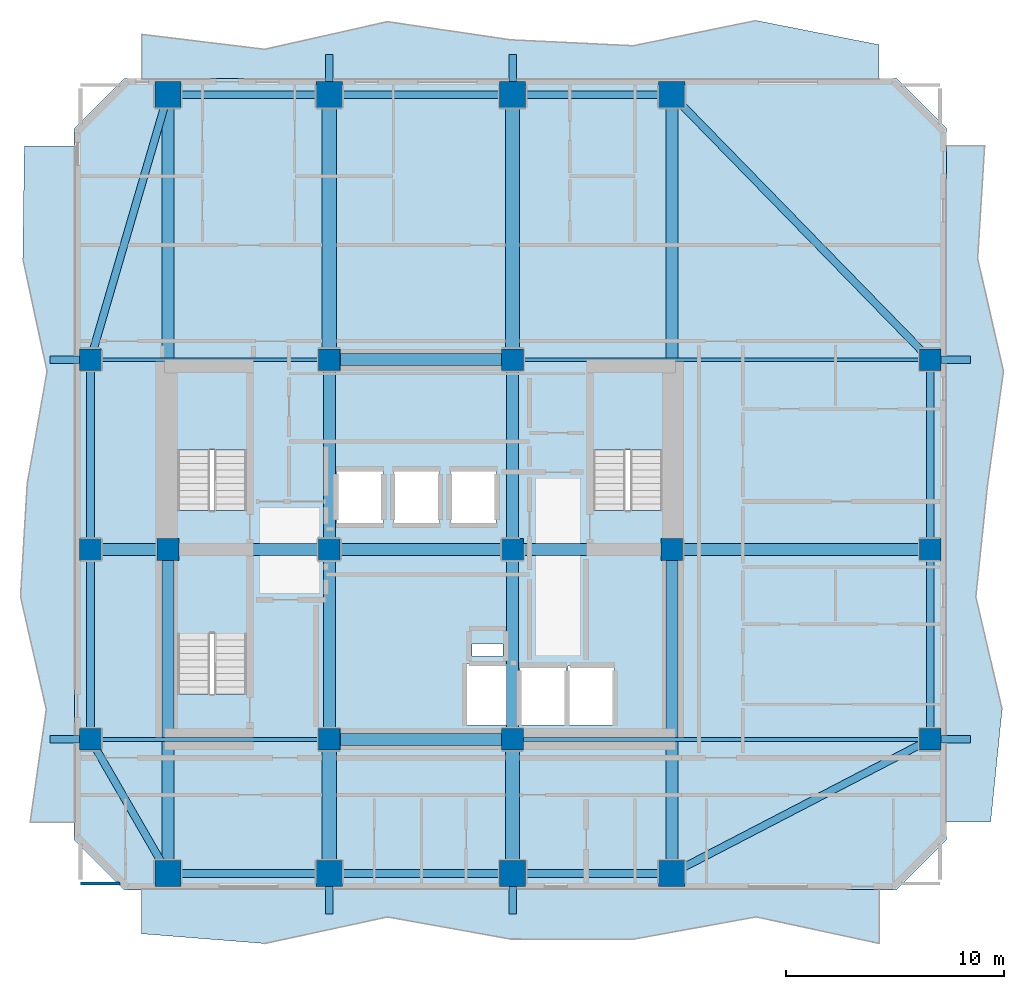
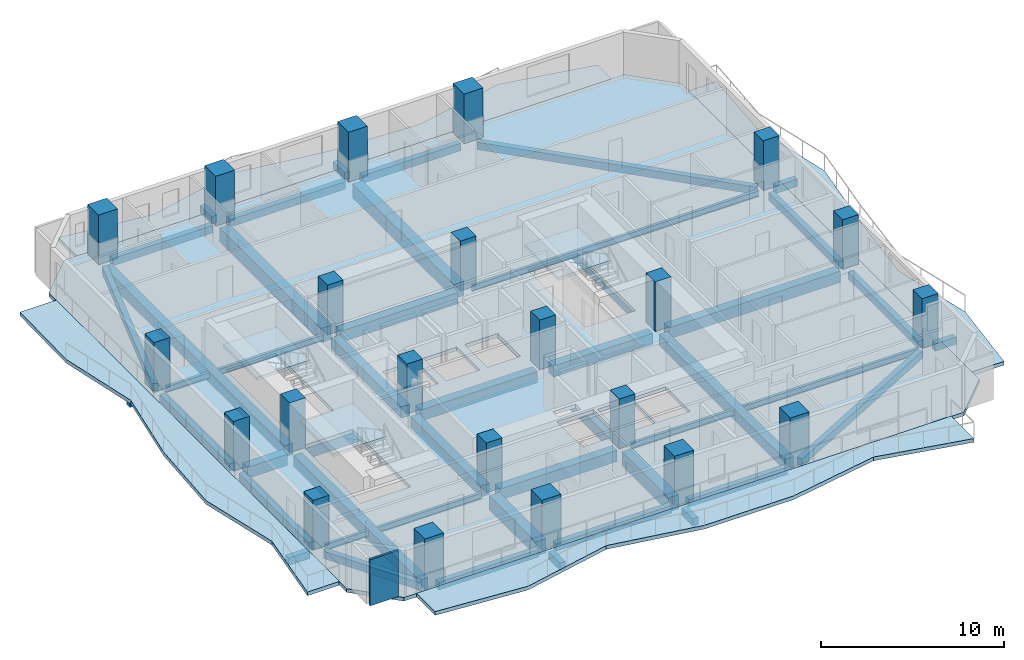
# One storey, part 1 of 11: 45 beams, 22 columns, 8 slabs, 1 wall, 3 elements without a shape of their own.
"""IFC4 building model written with IfcOpenShell, lengths in metres."""

from ifc_helpers import new_model, si_unit, direction, frame, frame_2d, origin, origin_2d, place, context, subcontext, project, spatial, polyline, rectangle, i_section, outline, extrude, material, layer, layer_set, material_profile, profile_set, type_object, element, aggregate, save


model = new_model("IFC4")

# Units and contexts
model_context = context("Model", 3, precision=1e-05, world=origin(), true_north=direction((0.0, 1.0)))
body_context = subcontext(model_context, "Body", "Model", "MODEL_VIEW")
ifc_project = project(units=[si_unit("LENGTHUNIT", "METRE"), si_unit("AREAUNIT", "SQUARE_METRE"), si_unit("VOLUMEUNIT", "CUBIC_METRE"), si_unit("PLANEANGLEUNIT", "RADIAN"), si_unit("MASSUNIT", "GRAM", prefix="KILO")], contexts=[model_context])

# Site, building, storey
site_placement = place(None, origin())
site = spatial("IfcSite", under=ifc_project, at=site_placement, CompositionType="ELEMENT")
building_placement = place(site_placement, origin())
building = spatial("IfcBuilding", under=site, at=building_placement, Name="Solanera Arch Residences", CompositionType="ELEMENT")
storey_placement = place(building_placement, frame((0.0, 0.0, 149.239990234375)))
storey = spatial("IfcBuildingStorey", under=building, at=storey_placement, Name="L43", CompositionType="ELEMENT", Elevation=149.239990234375)

# Columns
ifc_material_1 = material(Name="Concrete C55/67 (f'c = 60 MPa)", Category="concrete")
ifc_material_profile_1 = material_profile(ifc_material_1, rectangle(XDim=1.0, YDim=1.0, at=origin_2d()))
ifc_profile_set_1 = profile_set([ifc_material_profile_1], Name="Concrete C55/67 (f'c = 60 MPa)")
column_type_1 = type_object("IfcColumnType", Name="Structural Column RC-COL-1000X1000", PredefinedType="COLUMN", material=ifc_profile_set_1)
for number, where, z_axis, x_axis, name in (
    (1, (20.800048828125, 22.0, 0.0), (0.0, 0.0, 1.0), (1.0, 0.0, 0.0), "COL-L43-CB-SW"),
    (2, (29.199951171875, 22.0, 0.0), (0.0, 0.0, 1.0), (1.0, 0.0, 0.0), "COL-L43-CB-SE"),
    (3, (20.800048828125, 39.39990234375, 0.0), (0.0, 0.0, 1.0), (1.0, 0.0, 0.0), "COL-L43-CB-NW"),
    (4, (29.199951171875, 39.39990234375, 0.0), (0.0, 0.0, 1.0), (1.0, 0.0, 0.0), "COL-L43-CB-NE"),
    (5, (13.39990234375, 30.699951171875, 0.0), (0.0, 0.0, 1.0), (1.0, 0.0, 0.0), "COL-L43-CB-WW"),
    (6, (36.5, 30.699951171875, 0.0), (0.0, 0.0, 1.0), (1.0, 0.0, 0.0), "COL-L43-CB-EE"),
    (7, (20.800048828125, 30.699951171875, 0.0), (0.0, 0.0, 1.0), (1.0, 0.0, 0.0), "COL-L43-CORE-W"),
    (8, (29.199951171875, 30.699951171875, 0.0), (0.0, 0.0, 1.0), (1.0, 0.0, 0.0), "COL-L43-CORE-E"),
    (9, (9.85009765625, 22.0, 0.0), (0.0, 0.0, 1.0), (1.0, 0.0, 0.0), "COL-L43-TWR-09"),
    (10, (48.35009765625, 22.0, 0.0), (0.0, 0.0, 1.0), (1.0, 0.0, 0.0), "COL-L43-TWR-10"),
    (11, (9.85009765625, 30.699951171875, 0.0), (0.0, 0.0, 1.0), (1.0, 0.0, 0.0), "COL-L43-TWR-11"),
    (12, (48.35009765625, 30.699951171875, 0.0), (0.0, 0.0, 1.0), (1.0, 0.0, 0.0), "COL-L43-TWR-12"),
    (13, (9.85009765625, 39.39990234375, 0.0), (0.0, 0.0, 1.0), (1.0, 0.0, 0.0), "COL-L43-TWR-13"),
    (14, (48.35009765625, 39.39990234375, 0.0), (0.0, 0.0, 1.0), (1.0, 0.0, 0.0), "COL-L43-TWR-14"),
):
    element("IfcColumn", number, at=place(storey_placement, frame(where, z_axis=z_axis, x_axis=x_axis)), inside=storey, type_object=column_type_1, Name=name, PredefinedType="COLUMN", context=body_context, shape_type="SweptSolid", body=[
        extrude(rectangle(XDim=1.0, YDim=1.0, at=origin_2d()), origin(), (0.0, 0.0, 1.0), 3.320068359375),
    ])
ifc_material_2 = material(Name="Concrete C55/67 (f'c = 60 MPa)", Category="concrete")
ifc_material_profile_2 = material_profile(ifc_material_2, rectangle(XDim=1.199951171875, YDim=1.199951171875, at=origin_2d()))
ifc_profile_set_2 = profile_set([ifc_material_profile_2], Name="Concrete C55/67 (f'c = 60 MPa)")
column_type_2 = type_object("IfcColumnType", Name="Structural Column RC-COL-1200X1200", PredefinedType="COLUMN", material=ifc_profile_set_2)
for number, where, z_axis, x_axis, name in (
    (15, (13.39990234375, 15.85009765625, 0.0), (0.0, 0.0, 1.0), (1.0, 0.0, 0.0), "COL-L43-TWR-01"),
    (16, (13.39990234375, 51.550048828125, 0.0), (0.0, 0.0, 1.0), (1.0, 0.0, 0.0), "COL-L43-TWR-02"),
    (17, (20.800048828125, 15.85009765625, 0.0), (0.0, 0.0, 1.0), (1.0, 0.0, 0.0), "COL-L43-TWR-03"),
    (18, (20.800048828125, 51.550048828125, 0.0), (0.0, 0.0, 1.0), (1.0, 0.0, 0.0), "COL-L43-TWR-04"),
    (19, (29.199951171875, 15.85009765625, 0.0), (0.0, 0.0, 1.0), (1.0, 0.0, 0.0), "COL-L43-TWR-05"),
    (20, (29.199951171875, 51.550048828125, 0.0), (0.0, 0.0, 1.0), (1.0, 0.0, 0.0), "COL-L43-TWR-06"),
    (21, (36.5, 15.85009765625, 0.0), (0.0, 0.0, 1.0), (1.0, 0.0, 0.0), "COL-L43-TWR-07"),
    (22, (36.5, 51.550048828125, 0.0), (0.0, 0.0, 1.0), (1.0, 0.0, 0.0), "COL-L43-TWR-08"),
):
    element("IfcColumn", number, at=place(storey_placement, frame(where, z_axis=z_axis, x_axis=x_axis)), inside=storey, type_object=column_type_2, Name=name, PredefinedType="COLUMN", context=body_context, shape_type="SweptSolid", body=[
        extrude(rectangle(XDim=1.199951171875, YDim=1.199951171875, at=origin_2d()), origin(), (0.0, 0.0, 1.0), 3.320068359375),
    ])

# Beams
ifc_material_3 = material(Name="Concrete C40/50 (f'c = 45 MPa)", Category="concrete")
ifc_material_profile_3 = material_profile(ifc_material_3, rectangle(XDim=0.35009765625, YDim=0.5, at=origin_2d()))
ifc_profile_set_3 = profile_set([ifc_material_profile_3], Name="Concrete C40/50 (f'c = 45 MPa)")
beam_type_1 = type_object("IfcBeamType", Name="BM-BALC-RIB", PredefinedType="BEAM", material=ifc_profile_set_3)
for number, where, z_axis, x_axis, name in (
    (23, (20.800048828125, 14.0, -0.5), (0.0, 1.0, 0.0), (-1.0, 0.0, 0.0), "BM-L43-BRIB-S1"),
    (24, (29.199951171875, 14.0, -0.5), (0.0, 1.0, 0.0), (-1.0, 0.0, 0.0), "BM-L43-BRIB-S2"),
    (25, (20.800048828125, 52.14990234375, -0.5), (0.0, 1.0, 0.0), (-1.0, 0.0, 0.0), "BM-L43-BRIB-N1"),
    (26, (29.199951171875, 52.14990234375, -0.5), (0.0, 1.0, 0.0), (-1.0, 0.0, 0.0), "BM-L43-BRIB-N2"),
):
    element("IfcBeam", number, at=place(storey_placement, frame(where, z_axis=z_axis, x_axis=x_axis)), inside=storey, type_object=beam_type_1, Name=name, PredefinedType="BEAM", context=body_context, shape_type="SweptSolid", body=[
        extrude(rectangle(XDim=0.35009765625, YDim=0.5, at=origin_2d()), origin(), (0.0, 0.0, 1.0), 1.25),
    ])
for number, where, z_axis, x_axis, name in (
    (27, (48.85009765625, 22.0, -0.5), (1.0, 0.0, 0.0), (0.0, 1.0, 0.0), "BM-L43-BRIB-E1"),
    (28, (48.85009765625, 39.39990234375, -0.5), (1.0, 0.0, 0.0), (0.0, 1.0, 0.0), "BM-L43-BRIB-E2"),
):
    element("IfcBeam", number, at=place(storey_placement, frame(where, z_axis=z_axis, x_axis=x_axis)), inside=storey, type_object=beam_type_1, Name=name, PredefinedType="BEAM", context=body_context, shape_type="SweptSolid", body=[
        extrude(rectangle(XDim=0.35009765625, YDim=0.5, at=origin_2d()), origin(), (0.0, 0.0, 1.0), 1.349853515625),
    ])
for number, where, z_axis, x_axis, name in (
    (29, (8.0, 22.0, -0.5), (1.0, 0.0, 0.0), (0.0, 1.0, 0.0), "BM-L43-BRIB-W1"),
    (30, (8.0, 39.39990234375, -0.5), (1.0, 0.0, 0.0), (0.0, 1.0, 0.0), "BM-L43-BRIB-W2"),
):
    element("IfcBeam", number, at=place(storey_placement, frame(where, z_axis=z_axis, x_axis=x_axis)), inside=storey, type_object=beam_type_1, Name=name, PredefinedType="BEAM", context=body_context, shape_type="SweptSolid", body=[
        extrude(rectangle(XDim=0.35009765625, YDim=0.5, at=origin_2d()), origin(), (0.0, 0.0, 1.0), 1.35009765625),
    ])
ifc_material_4 = material(Name="Concrete C40/50 (f'c = 45 MPa)", Category="concrete")
ifc_material_profile_4 = material_profile(ifc_material_4, rectangle(XDim=0.550048828125, YDim=0.75, at=origin_2d()))
ifc_profile_set_4 = profile_set([ifc_material_profile_4], Name="Concrete C40/50 (f'c = 45 MPa)")
beam_type_2 = type_object("IfcBeamType", Name="Primary Beam RC-BM-550X750", PredefinedType="BEAM", material=ifc_profile_set_4)
beam_1_placement = place(storey_placement, frame((20.800048828125, 22.50390625, -0.614990234375), z_axis=(0.0, 1.0, 0.0), x_axis=(-1.0, 0.0, 0.0)))
element("IfcBeam", 31, at=beam_1_placement, inside=storey, type_object=beam_type_2, Name="BM-L43-CC-S-208", PredefinedType="BEAM", context=body_context, shape_type="SweptSolid", body=[
    extrude(rectangle(XDim=0.550048828125, YDim=0.75, at=origin_2d()), origin(), (0.0, 0.0, 1.0), 7.692138671875),
])
beam_2_placement = place(storey_placement, frame((20.800048828125, 31.2041015625, -0.614990234375), z_axis=(0.0, 1.0, 0.0), x_axis=(-1.0, 0.0, 0.0)))
element("IfcBeam", 32, at=beam_2_placement, inside=storey, type_object=beam_type_2, Name="BM-L43-CC-N-208", PredefinedType="BEAM", context=body_context, shape_type="SweptSolid", body=[
    extrude(rectangle(XDim=0.550048828125, YDim=0.75, at=origin_2d()), origin(), (0.0, 0.0, 1.0), 7.69189453125),
])
beam_3_placement = place(storey_placement, frame((29.199951171875, 22.50390625, -0.614990234375), z_axis=(0.0, 1.0, 0.0), x_axis=(-1.0, 0.0, 0.0)))
element("IfcBeam", 33, at=beam_3_placement, inside=storey, type_object=beam_type_2, Name="BM-L43-CC-S-292", PredefinedType="BEAM", context=body_context, shape_type="SweptSolid", body=[
    extrude(rectangle(XDim=0.550048828125, YDim=0.75, at=origin_2d()), origin(), (0.0, 0.0, 1.0), 7.692138671875),
])
beam_4_placement = place(storey_placement, frame((29.199951171875, 31.2041015625, -0.614990234375), z_axis=(0.0, 1.0, 0.0), x_axis=(-1.0, 0.0, 0.0)))
element("IfcBeam", 34, at=beam_4_placement, inside=storey, type_object=beam_type_2, Name="BM-L43-CC-N-292", PredefinedType="BEAM", context=body_context, shape_type="SweptSolid", body=[
    extrude(rectangle(XDim=0.550048828125, YDim=0.75, at=origin_2d()), origin(), (0.0, 0.0, 1.0), 7.69189453125),
])
for number, where, z_axis, x_axis, name in (
    (35, (21.303955078125, 22.0, -0.614990234375), (1.0, 0.0, 0.0), (0.0, 1.0, 0.0), "BM-L43-CC-M-220"),
    (36, (21.303955078125, 30.699951171875, -0.614990234375), (1.0, 0.0, 0.0), (0.0, 1.0, 0.0), "BM-L43-CC-M-307"),
    (37, (21.303955078125, 39.39990234375, -0.614990234375), (1.0, 0.0, 0.0), (0.0, 1.0, 0.0), "BM-L43-CC-M-394"),
):
    element("IfcBeam", number, at=place(storey_placement, frame(where, z_axis=z_axis, x_axis=x_axis)), inside=storey, type_object=beam_type_2, Name=name, PredefinedType="BEAM", context=body_context, shape_type="SweptSolid", body=[
        extrude(rectangle(XDim=0.550048828125, YDim=0.75, at=origin_2d()), origin(), (0.0, 0.0, 1.0), 7.39208984375),
    ])
beam_5_placement = place(storey_placement, frame((13.904052734375, 30.699951171875, -0.614990234375), z_axis=(1.0, 0.0, 0.0), x_axis=(0.0, 1.0, 0.0)))
element("IfcBeam", 38, at=beam_5_placement, inside=storey, type_object=beam_type_2, Name="BM-L43-CC-W", PredefinedType="BEAM", context=body_context, shape_type="SweptSolid", body=[
    extrude(rectangle(XDim=0.550048828125, YDim=0.75, at=origin_2d()), origin(), (0.0, 0.0, 1.0), 6.391845703125),
])
beam_6_placement = place(storey_placement, frame((29.7041015625, 30.699951171875, -0.614990234375), z_axis=(1.0, 0.0, 0.0), x_axis=(0.0, 1.0, 0.0)))
element("IfcBeam", 39, at=beam_6_placement, inside=storey, type_object=beam_type_2, Name="BM-L43-CC-E", PredefinedType="BEAM", context=body_context, shape_type="SweptSolid", body=[
    extrude(rectangle(XDim=0.550048828125, YDim=0.75, at=origin_2d()), origin(), (0.0, 0.0, 1.0), 6.2919921875),
])
beam_7_placement = place(storey_placement, frame((13.39990234375, 16.389892578125, -0.614990234375), z_axis=(0.0, 1.0, 0.0), x_axis=(-1.0, 0.0, 0.0)))
element("IfcBeam", 40, at=beam_7_placement, inside=storey, type_object=beam_type_2, Name="BM-L43-RAD-OS-134", PredefinedType="BEAM", context=body_context, shape_type="SweptSolid", body=[
    extrude(rectangle(XDim=0.550048828125, YDim=0.75, at=origin_2d()), origin(), (0.0, 0.0, 1.0), 13.80615234375),
])
beam_8_placement = place(storey_placement, frame((13.39990234375, 31.2041015625, -0.614990234375), z_axis=(0.0, 1.0, 0.0), x_axis=(-1.0, 0.0, 0.0)))
element("IfcBeam", 41, at=beam_8_placement, inside=storey, type_object=beam_type_2, Name="BM-L43-RAD-ON-134", PredefinedType="BEAM", context=body_context, shape_type="SweptSolid", body=[
    extrude(rectangle(XDim=0.550048828125, YDim=0.75, at=origin_2d()), origin(), (0.0, 0.0, 1.0), 19.805908203125),
])
beam_9_placement = place(storey_placement, frame((36.5, 16.389892578125, -0.614990234375), z_axis=(0.0, 1.0, 0.0), x_axis=(-1.0, 0.0, 0.0)))
element("IfcBeam", 42, at=beam_9_placement, inside=storey, type_object=beam_type_2, Name="BM-L43-RAD-OS-365", PredefinedType="BEAM", context=body_context, shape_type="SweptSolid", body=[
    extrude(rectangle(XDim=0.550048828125, YDim=0.75, at=origin_2d()), origin(), (0.0, 0.0, 1.0), 13.80615234375),
])
beam_10_placement = place(storey_placement, frame((36.5, 31.2041015625, -0.614990234375), z_axis=(0.0, 1.0, 0.0), x_axis=(-1.0, 0.0, 0.0)))
element("IfcBeam", 43, at=beam_10_placement, inside=storey, type_object=beam_type_2, Name="BM-L43-RAD-ON-365", PredefinedType="BEAM", context=body_context, shape_type="SweptSolid", body=[
    extrude(rectangle(XDim=0.550048828125, YDim=0.75, at=origin_2d()), origin(), (0.0, 0.0, 1.0), 19.805908203125),
])
beam_11_placement = place(storey_placement, frame((10.35400390625, 30.699951171875, -0.614990234375), z_axis=(1.0, 0.0, 0.0), x_axis=(0.0, 1.0, 0.0)))
element("IfcBeam", 44, at=beam_11_placement, inside=storey, type_object=beam_type_2, Name="BM-L43-RAD-MW", PredefinedType="BEAM", context=body_context, shape_type="SweptSolid", body=[
    extrude(rectangle(XDim=0.550048828125, YDim=0.75, at=origin_2d()), origin(), (0.0, 0.0, 1.0), 2.5419921875),
])
beam_12_placement = place(storey_placement, frame((37.00390625, 30.699951171875, -0.614990234375), z_axis=(1.0, 0.0, 0.0), x_axis=(0.0, 1.0, 0.0)))
element("IfcBeam", 45, at=beam_12_placement, inside=storey, type_object=beam_type_2, Name="BM-L43-RAD-ME", PredefinedType="BEAM", context=body_context, shape_type="SweptSolid", body=[
    extrude(rectangle(XDim=0.550048828125, YDim=0.75, at=origin_2d()), origin(), (0.0, 0.0, 1.0), 10.842041015625),
])
ifc_material_5 = material(Name="Concrete C40/50 (f'c = 45 MPa)", Category="concrete")
ifc_material_profile_5 = material_profile(ifc_material_5, rectangle(XDim=0.64990234375, YDim=0.949951171875, at=origin_2d()))
ifc_profile_set_5 = profile_set([ifc_material_profile_5], Name="Concrete C40/50 (f'c = 45 MPa)")
beam_type_3 = type_object("IfcBeamType", Name="Primary Beam RC-BM-650X950", PredefinedType="BEAM", material=ifc_profile_set_5)
beam_13_placement = place(storey_placement, frame((20.800048828125, 16.389892578125, -0.715087890625), z_axis=(0.0, 1.0, 0.0), x_axis=(-1.0, 0.0, 0.0)))
element("IfcBeam", 46, at=beam_13_placement, inside=storey, type_object=beam_type_3, Name="BM-L43-RAD-S-208", PredefinedType="BEAM", context=body_context, shape_type="SweptSolid", body=[
    extrude(rectangle(XDim=0.64990234375, YDim=0.949951171875, at=origin_2d()), origin(), (0.0, 0.0, 1.0), 5.106201171875),
])
beam_14_placement = place(storey_placement, frame((20.800048828125, 39.904052734375, -0.715087890625), z_axis=(0.0, 1.0, 0.0), x_axis=(-1.0, 0.0, 0.0)))
element("IfcBeam", 47, at=beam_14_placement, inside=storey, type_object=beam_type_3, Name="BM-L43-RAD-N-208", PredefinedType="BEAM", context=body_context, shape_type="SweptSolid", body=[
    extrude(rectangle(XDim=0.64990234375, YDim=0.949951171875, at=origin_2d()), origin(), (0.0, 0.0, 1.0), 11.10595703125),
])
beam_15_placement = place(storey_placement, frame((29.199951171875, 16.389892578125, -0.715087890625), z_axis=(0.0, 1.0, 0.0), x_axis=(-1.0, 0.0, 0.0)))
element("IfcBeam", 48, at=beam_15_placement, inside=storey, type_object=beam_type_3, Name="BM-L43-RAD-S-292", PredefinedType="BEAM", context=body_context, shape_type="SweptSolid", body=[
    extrude(rectangle(XDim=0.64990234375, YDim=0.949951171875, at=origin_2d()), origin(), (0.0, 0.0, 1.0), 5.106201171875),
])
beam_16_placement = place(storey_placement, frame((29.199951171875, 39.904052734375, -0.715087890625), z_axis=(0.0, 1.0, 0.0), x_axis=(-1.0, 0.0, 0.0)))
element("IfcBeam", 49, at=beam_16_placement, inside=storey, type_object=beam_type_3, Name="BM-L43-RAD-N-292", PredefinedType="BEAM", context=body_context, shape_type="SweptSolid", body=[
    extrude(rectangle(XDim=0.64990234375, YDim=0.949951171875, at=origin_2d()), origin(), (0.0, 0.0, 1.0), 11.10595703125),
])
ifc_material_6 = material(Name="Steel S355 (ASTM A992 / A572 Grade 50)", Category="steel")
ifc_material_profile_6 = material_profile(ifc_material_6, i_section(OverallWidth=0.178955078125, OverallDepth=0.409912109375, WebThickness=0.0087890625, FlangeThickness=0.014404296875, at=origin_2d()))
ifc_profile_set_6 = profile_set([ifc_material_profile_6], Name="Steel S355 (ASTM A992 / A572 Grade 50)")
beam_type_4 = type_object("IfcBeamType", Name="Secondary Joist W410X67", PredefinedType="JOIST", material=ifc_profile_set_6)
beam_17_placement = place(storey_placement, frame((10.35400390625, 22.0, -0.445068359375), z_axis=(1.0, 0.0, 0.0), x_axis=(0.0, 1.0, 0.0)))
element("IfcBeam", 50, at=beam_17_placement, inside=storey, type_object=beam_type_4, Name="BM-L43-RAD-W-220", PredefinedType="JOIST", context=body_context, shape_type="SweptSolid", body=[
    extrude(i_section(OverallWidth=0.178955078125, OverallDepth=0.409912109375, WebThickness=0.0087890625, FlangeThickness=0.014404296875, at=origin_2d()), origin(), (0.0, 0.0, 1.0), 9.94189453125),
])
beam_18_placement = place(storey_placement, frame((29.7041015625, 22.0, -0.445068359375), z_axis=(1.0, 0.0, 0.0), x_axis=(0.0, 1.0, 0.0)))
element("IfcBeam", 51, at=beam_18_placement, inside=storey, type_object=beam_type_4, Name="BM-L43-RAD-E-220", PredefinedType="JOIST", context=body_context, shape_type="SweptSolid", body=[
    extrude(i_section(OverallWidth=0.178955078125, OverallDepth=0.409912109375, WebThickness=0.0087890625, FlangeThickness=0.014404296875, at=origin_2d()), origin(), (0.0, 0.0, 1.0), 18.141845703125),
])
beam_19_placement = place(storey_placement, frame((10.35400390625, 39.39990234375, -0.445068359375), z_axis=(1.0, 0.0, 0.0), x_axis=(0.0, 1.0, 0.0)))
element("IfcBeam", 52, at=beam_19_placement, inside=storey, type_object=beam_type_4, Name="BM-L43-RAD-W-394", PredefinedType="JOIST", context=body_context, shape_type="SweptSolid", body=[
    extrude(i_section(OverallWidth=0.178955078125, OverallDepth=0.409912109375, WebThickness=0.0087890625, FlangeThickness=0.014404296875, at=origin_2d()), origin(), (0.0, 0.0, 1.0), 9.94189453125),
])
beam_20_placement = place(storey_placement, frame((29.7041015625, 39.39990234375, -0.445068359375), z_axis=(1.0, 0.0, 0.0), x_axis=(0.0, 1.0, 0.0)))
element("IfcBeam", 53, at=beam_20_placement, inside=storey, type_object=beam_type_4, Name="BM-L43-RAD-E-394", PredefinedType="JOIST", context=body_context, shape_type="SweptSolid", body=[
    extrude(i_section(OverallWidth=0.178955078125, OverallDepth=0.409912109375, WebThickness=0.0087890625, FlangeThickness=0.014404296875, at=origin_2d()), origin(), (0.0, 0.0, 1.0), 18.141845703125),
])
ifc_material_7 = material(Name="Concrete C40/50 (f'c = 45 MPa)", Category="concrete")
ifc_material_profile_7 = material_profile(ifc_material_7, rectangle(XDim=0.35009765625, YDim=0.5, at=origin_2d()))
ifc_profile_set_7 = profile_set([ifc_material_profile_7], Name="Concrete C40/50 (f'c = 45 MPa)")
beam_type_5 = type_object("IfcBeamType", Name="Spandrel Beam RC-BM-350X500", PredefinedType="SPANDREL", material=ifc_profile_set_7)
for number, where, z_axis, x_axis, name in (
    (54, (13.93994140625, 15.85009765625, -0.489990234375), (1.0, 0.0, 0.0), (0.0, 1.0, 0.0), "BM-L43-SPN-S-1"),
    (55, (13.93994140625, 51.550048828125, -0.489990234375), (1.0, 0.0, 0.0), (0.0, 1.0, 0.0), "BM-L43-SPN-N-1"),
):
    element("IfcBeam", number, at=place(storey_placement, frame(where, z_axis=z_axis, x_axis=x_axis)), inside=storey, type_object=beam_type_5, Name=name, PredefinedType="SPANDREL", context=body_context, shape_type="SweptSolid", body=[
        extrude(rectangle(XDim=0.35009765625, YDim=0.5, at=origin_2d()), origin(), (0.0, 0.0, 1.0), 6.320068359375),
    ])
for number, where, z_axis, x_axis, name in (
    (56, (21.340087890625, 15.85009765625, -0.489990234375), (1.0, 0.0, 0.0), (0.0, 1.0, 0.0), "BM-L43-SPN-S-2"),
    (57, (21.340087890625, 51.550048828125, -0.489990234375), (1.0, 0.0, 0.0), (0.0, 1.0, 0.0), "BM-L43-SPN-N-2"),
):
    element("IfcBeam", number, at=place(storey_placement, frame(where, z_axis=z_axis, x_axis=x_axis)), inside=storey, type_object=beam_type_5, Name=name, PredefinedType="SPANDREL", context=body_context, shape_type="SweptSolid", body=[
        extrude(rectangle(XDim=0.35009765625, YDim=0.5, at=origin_2d()), origin(), (0.0, 0.0, 1.0), 7.31982421875),
    ])
for number, where, z_axis, x_axis, name in (
    (58, (29.739990234375, 15.85009765625, -0.489990234375), (1.0, 0.0, 0.0), (0.0, 1.0, 0.0), "BM-L43-SPN-S-3"),
    (59, (29.739990234375, 51.550048828125, -0.489990234375), (1.0, 0.0, 0.0), (0.0, 1.0, 0.0), "BM-L43-SPN-N-3"),
):
    element("IfcBeam", number, at=place(storey_placement, frame(where, z_axis=z_axis, x_axis=x_axis)), inside=storey, type_object=beam_type_5, Name=name, PredefinedType="SPANDREL", context=body_context, shape_type="SweptSolid", body=[
        extrude(rectangle(XDim=0.35009765625, YDim=0.5, at=origin_2d()), origin(), (0.0, 0.0, 1.0), 6.219970703125),
    ])
for number, where, z_axis, x_axis, name in (
    (60, (9.85009765625, 22.50390625, -0.489990234375), (0.0, 1.0, 0.0), (-1.0, 0.0, 0.0), "BM-L43-SPN-W-1"),
    (61, (48.35009765625, 22.50390625, -0.489990234375), (0.0, 1.0, 0.0), (-1.0, 0.0, 0.0), "BM-L43-SPN-E-1"),
):
    element("IfcBeam", number, at=place(storey_placement, frame(where, z_axis=z_axis, x_axis=x_axis)), inside=storey, type_object=beam_type_5, Name=name, PredefinedType="SPANDREL", context=body_context, shape_type="SweptSolid", body=[
        extrude(rectangle(XDim=0.35009765625, YDim=0.5, at=origin_2d()), origin(), (0.0, 0.0, 1.0), 7.692138671875),
    ])
for number, where, z_axis, x_axis, name in (
    (62, (9.85009765625, 31.2041015625, -0.489990234375), (0.0, 1.0, 0.0), (-1.0, 0.0, 0.0), "BM-L43-SPN-W-2"),
    (63, (48.35009765625, 31.2041015625, -0.489990234375), (0.0, 1.0, 0.0), (-1.0, 0.0, 0.0), "BM-L43-SPN-E-2"),
):
    element("IfcBeam", number, at=place(storey_placement, frame(where, z_axis=z_axis, x_axis=x_axis)), inside=storey, type_object=beam_type_5, Name=name, PredefinedType="SPANDREL", context=body_context, shape_type="SweptSolid", body=[
        extrude(rectangle(XDim=0.35009765625, YDim=0.5, at=origin_2d()), origin(), (0.0, 0.0, 1.0), 7.69189453125),
    ])
beam_21_placement = place(storey_placement, frame((13.1298828125, 16.318115234375, -0.489990234375), z_axis=(-0.499942442997, 0.866058631785, 0.0), x_axis=(-0.866058631785, -0.499942442997, 0.0)))
element("IfcBeam", 64, at=beam_21_placement, inside=storey, type_object=beam_type_5, Name="BM-L43-SPN-SW", PredefinedType="SPANDREL", context=body_context, shape_type="SweptSolid", body=[
    extrude(rectangle(XDim=0.35009765625, YDim=0.5, at=origin_2d()), origin(), (0.0, 0.0, 1.0), 6.020263671875),
])
beam_22_placement = place(storey_placement, frame((13.2490234375, 51.031982421875, -0.489990234375), z_axis=(-0.280501326348, -0.959853637758, 0.0), x_axis=(0.959853637758, -0.280501326348, 0.0)))
element("IfcBeam", 65, at=beam_22_placement, inside=storey, type_object=beam_type_5, Name="BM-L43-SPN-NW", PredefinedType="SPANDREL", context=body_context, shape_type="SweptSolid", body=[
    extrude(rectangle(XDim=0.35009765625, YDim=0.5, at=origin_2d()), origin(), (0.0, 0.0, 1.0), 11.59326171875),
])
beam_23_placement = place(storey_placement, frame((36.97900390625, 16.09912109375, -0.489990234375), z_axis=(0.887617783335, 0.460580797154, 0.0), x_axis=(-0.460580797154, 0.887617783335, 0.0)))
element("IfcBeam", 66, at=beam_23_placement, inside=storey, type_object=beam_type_5, Name="BM-L43-SPN-SE", PredefinedType="SPANDREL", context=body_context, shape_type="SweptSolid", body=[
    extrude(rectangle(XDim=0.35009765625, YDim=0.5, at=origin_2d()), origin(), (0.0, 0.0, 1.0), 12.271240234375),
])
beam_24_placement = place(storey_placement, frame((36.876953125, 51.1630859375, -0.489990234375), z_axis=(0.698241103512, -0.715862669349, 0.0), x_axis=(0.715862669349, 0.698241103512, 0.0)))
element("IfcBeam", 67, at=beam_24_placement, inside=storey, type_object=beam_type_5, Name="BM-L43-SPN-NE", PredefinedType="SPANDREL", context=body_context, shape_type="SweptSolid", body=[
    extrude(rectangle(XDim=0.35009765625, YDim=0.5, at=origin_2d()), origin(), (0.0, 0.0, 1.0), 15.891357421875),
])

# Slabs
ifc_material_8 = material(Name="Concrete C40/50 (f'c = 45 MPa)", Category="concrete")
ifc_layer_1 = layer(ifc_material_8, 0.25)
ifc_layer_set_1 = layer_set([ifc_layer_1], Name="Concrete C40/50 (f'c = 45 MPa)")
slab_type_1 = type_object("IfcSlabType", Name="Balcony Slab 250", PredefinedType="FLOOR", material=ifc_layer_set_1)
slab_1_placement = place(storey_placement, frame((0.0, 0.0, -0.25)))
element("IfcSlab", 68, at=slab_1_placement, inside=storey, type_object=slab_type_1, Name="L43 S Rippling Brise-Soleil Balcony Slab", PredefinedType="FLOOR", context=body_context, shape_type="SweptSolid", body=[
    extrude(outline(polyline([(12.199951171875, 13.0859375), (17.8330078125, 12.638916015625), (23.467041015625, 13.85791015625), (29.10009765625, 12.845947265625), (34.73291015625, 12.837890625), (40.366943359375, 13.860107421875), (46.0, 12.64501953125), (46.0, 15.1201171875), (12.199951171875, 15.1201171875), (12.199951171875, 13.0859375)])), origin(), (0.0, 0.0, 1.0), 0.25),
])
slab_2_placement = place(storey_placement, frame((0.0, 0.0, -0.25)))
element("IfcSlab", 69, at=slab_2_placement, inside=storey, type_object=slab_type_1, Name="L43 N Rippling Brise-Soleil Balcony Slab", PredefinedType="FLOOR", context=body_context, shape_type="SweptSolid", body=[
    extrude(outline(polyline([(46.0, 53.837890625), (40.366943359375, 54.948974609375), (34.73291015625, 53.79296875), (29.10009765625, 54.06494140625), (23.467041015625, 54.89599609375), (17.8330078125, 53.6298828125), (12.199951171875, 54.31396484375), (12.199951171875, 52.280029296875), (46.0, 52.280029296875), (46.0, 53.837890625)])), origin(), (0.0, 0.0, 1.0), 0.25),
])
slab_3_placement = place(storey_placement, frame((0.0, 0.0, -0.25)))
element("IfcSlab", 70, at=slab_3_placement, inside=storey, type_object=slab_type_1, Name="L43 E Rippling Brise-Soleil Balcony Slab", PredefinedType="FLOOR", context=body_context, shape_type="SweptSolid", body=[
    extrude(outline(polyline([(51.114013671875, 18.199951171875), (51.639892578125, 23.366943359375), (50.43505859375, 28.532958984375), (50.97509765625, 33.699951171875), (51.702880859375, 38.866943359375), (50.51904296875, 44.032958984375), (50.837890625, 49.199951171875), (49.080078125, 49.199951171875), (49.080078125, 18.199951171875), (51.114013671875, 18.199951171875)])), origin(), (0.0, 0.0, 1.0), 0.25),
])
slab_4_placement = place(storey_placement, frame((0.0, 0.0, -0.25)))
element("IfcSlab", 71, at=slab_4_placement, inside=storey, type_object=slab_type_1, Name="L43 W Rippling Brise-Soleil Balcony Slab", PredefinedType="FLOOR", context=body_context, shape_type="SweptSolid", body=[
    extrude(outline(polyline([(6.821044921875, 49.199951171875), (6.75, 44.032958984375), (7.861083984375, 38.866943359375), (6.948974609375, 33.699951171875), (6.64501953125, 28.532958984375), (7.825927734375, 23.366943359375), (7.0859375, 18.199951171875), (9.1201171875, 18.199951171875), (9.1201171875, 49.199951171875), (6.821044921875, 49.199951171875)])), origin(), (0.0, 0.0, 1.0), 0.25),
])

# Stair, slab
ifc_material_9 = material(Name="Concrete C40/50 (f'c = 45 MPa)", Category="concrete")
stair_type = type_object("IfcStairType", Name="Tower Dogleg Exit Stair 1480", PredefinedType="HALF_TURN_STAIR", material=ifc_material_9)
stair_1_placement = place(storey_placement, origin())
stair_1 = element("IfcStair", 72, at=stair_1_placement, inside=storey, type_object=stair_type, Name="L43 Tower Core Exit Stair 1", PredefinedType="HALF_TURN_STAIR")
ifc_material_10 = material(Name="Concrete C40/50 (f'c = 45 MPa)", Category="concrete")
ifc_layer_2 = layer(ifc_material_10, 0.199951171875)
ifc_layer_set_2 = layer_set([ifc_layer_2], Name="Concrete C40/50 (f'c = 45 MPa)")
slab_type_2 = type_object("IfcSlabType", Name="Stair Half-Landing Slab 200", PredefinedType="LANDING", material=ifc_layer_set_2)
slab_5_placement = place(storey_placement, frame((0.0, 0.0, 1.4599609375)))
slab_5 = element("IfcSlab", 73, at=slab_5_placement, type_object=slab_type_2, Name="ST-T1 landing 1", PredefinedType="LANDING", context=body_context, shape_type="SweptSolid", body=[
    extrude(outline(polyline([(17.1201171875, 35.260009765625), (17.1201171875, 38.919921875), (13.719970703125, 38.919921875), (13.719970703125, 35.260009765625), (17.1201171875, 35.260009765625)])), origin(), (0.0, 0.0, 1.0), 0.199951171875),
])
aggregate(stair_1, [slab_5])

stair_2_placement = place(storey_placement, origin())
stair_2 = element("IfcStair", 74, at=stair_2_placement, inside=storey, type_object=stair_type, Name="L43 Tower Core Exit Stair 2", PredefinedType="HALF_TURN_STAIR")
slab_6_placement = place(storey_placement, frame((0.0, 0.0, 1.4599609375)))
slab_6 = element("IfcSlab", 75, at=slab_6_placement, type_object=slab_type_2, Name="ST-T2 landing 1", PredefinedType="LANDING", context=body_context, shape_type="SweptSolid", body=[
    extrude(outline(polyline([(36.179931640625, 35.260009765625), (36.179931640625, 38.919921875), (32.780029296875, 38.919921875), (32.780029296875, 35.260009765625), (36.179931640625, 35.260009765625)])), origin(), (0.0, 0.0, 1.0), 0.199951171875),
])
aggregate(stair_2, [slab_6])

stair_3_placement = place(storey_placement, origin())
stair_3 = element("IfcStair", 76, at=stair_3_placement, inside=storey, type_object=stair_type, Name="L43 Tower Core Exit Stair 3", PredefinedType="HALF_TURN_STAIR")
slab_7_placement = place(storey_placement, frame((0.0, 0.0, 1.4599609375)))
slab_7 = element("IfcSlab", 77, at=slab_7_placement, type_object=slab_type_2, Name="ST-T3 landing 1", PredefinedType="LANDING", context=body_context, shape_type="SweptSolid", body=[
    extrude(outline(polyline([(17.1201171875, 26.860107421875), (17.1201171875, 30.52001953125), (13.719970703125, 30.52001953125), (13.719970703125, 26.860107421875), (17.1201171875, 26.860107421875)])), origin(), (0.0, 0.0, 1.0), 0.199951171875),
])
aggregate(stair_3, [slab_7])

# Slab
ifc_material_11 = material(Name="Concrete C40/50 (f'c = 45 MPa)", Category="concrete")
ifc_layer_3 = layer(ifc_material_11, 0.239990234375)
ifc_layer_set_3 = layer_set([ifc_layer_3], Name="Concrete C40/50 (f'c = 45 MPa)")
slab_type_3 = type_object("IfcSlabType", Name="Suspended Floor Slab Post-Tensioned 240", PredefinedType="FLOOR", material=ifc_layer_set_3)
slab_8_placement = place(storey_placement, frame((0.0, 0.0, -0.239990234375)))
element("IfcSlab", 78, at=slab_8_placement, inside=storey, type_object=slab_type_3, Name="L43 Tower Post-Tensioned Floor Slab", PredefinedType="FLOOR", context=body_context, shape_type="SweptSolid", body=[
    extrude(outline(polyline([(11.39990234375, 15.10009765625), (46.800048828125, 15.10009765625), (49.10009765625, 17.39990234375), (49.10009765625, 50.0), (46.800048828125, 52.300048828125), (11.39990234375, 52.300048828125), (9.10009765625, 50.0), (9.10009765625, 17.39990234375), (11.39990234375, 15.10009765625)]), holes=[polyline([(13.840087890625, 32.48291015625), (13.840087890625, 38.800048828125), (17.0, 38.800048828125), (17.0, 32.48291015625), (13.840087890625, 32.48291015625)]), polyline([(32.89990234375, 32.48291015625), (32.89990234375, 38.800048828125), (36.06005859375, 38.800048828125), (36.06005859375, 32.48291015625), (32.89990234375, 32.48291015625)]), polyline([(13.840087890625, 24.0830078125), (13.840087890625, 30.39990234375), (17.0, 30.39990234375), (17.0, 24.0830078125), (13.840087890625, 24.0830078125)]), polyline([(21.14990234375, 34.35009765625), (23.25, 34.35009765625), (23.25, 31.85009765625), (21.14990234375, 31.85009765625), (21.14990234375, 34.35009765625)]), polyline([(23.75, 34.35009765625), (25.85009765625, 34.35009765625), (25.85009765625, 31.85009765625), (23.75, 31.85009765625), (23.75, 34.35009765625)]), polyline([(26.35009765625, 34.35009765625), (28.449951171875, 34.35009765625), (28.449951171875, 31.85009765625), (26.35009765625, 31.85009765625), (26.35009765625, 34.35009765625)]), polyline([(29.550048828125, 25.35009765625), (31.64990234375, 25.35009765625), (31.64990234375, 22.64990234375), (29.550048828125, 22.64990234375), (29.550048828125, 25.35009765625)]), polyline([(31.75, 25.35009765625), (33.85009765625, 25.35009765625), (33.85009765625, 22.64990234375), (31.75, 22.64990234375), (31.75, 25.35009765625)]), polyline([(27.050048828125, 25.449951171875), (29.35009765625, 25.449951171875), (29.35009765625, 22.64990234375), (27.050048828125, 22.64990234375), (27.050048828125, 25.449951171875)]), polyline([(27.340087890625, 26.3798828125), (28.760009765625, 26.3798828125), (28.760009765625, 25.820068359375), (27.340087890625, 25.820068359375), (27.340087890625, 26.3798828125)])]), origin(), (0.0, 0.0, 1.0), 0.239990234375),
])

# Wall
ifc_material_12 = material(Name="Autoclaved Aerated Concrete Blockwork", Category="masonry")
ifc_layer_4 = layer(ifc_material_12, 0.139892578125)
ifc_layer_set_4 = layer_set([ifc_layer_4], Name="Autoclaved Aerated Concrete Blockwork")
wall_type = type_object("IfcWallType", Name="Wet-Room Partition 140", PredefinedType="PARTITIONING", material=ifc_layer_set_4)
wall_placement = place(storey_placement, frame((9.39990234375, 15.39990234375, 0.0), z_axis=(0.0, 0.0, 1.0), x_axis=(1.0, 0.0, 0.0)))
element("IfcWall", 79, at=wall_placement, inside=storey, type_object=wall_type, Name="L43 Interior Partition H14 1", PredefinedType="PARTITIONING", context=body_context, shape_type="SweptSolid", body=[
    extrude(rectangle(XDim=1.795166015625, YDim=0.139892578125, at=frame_2d((0.8974609375, 0.0))), origin(), (0.0, 0.0, 1.0), 3.080078125),
])

save(model, "model.ifc")
